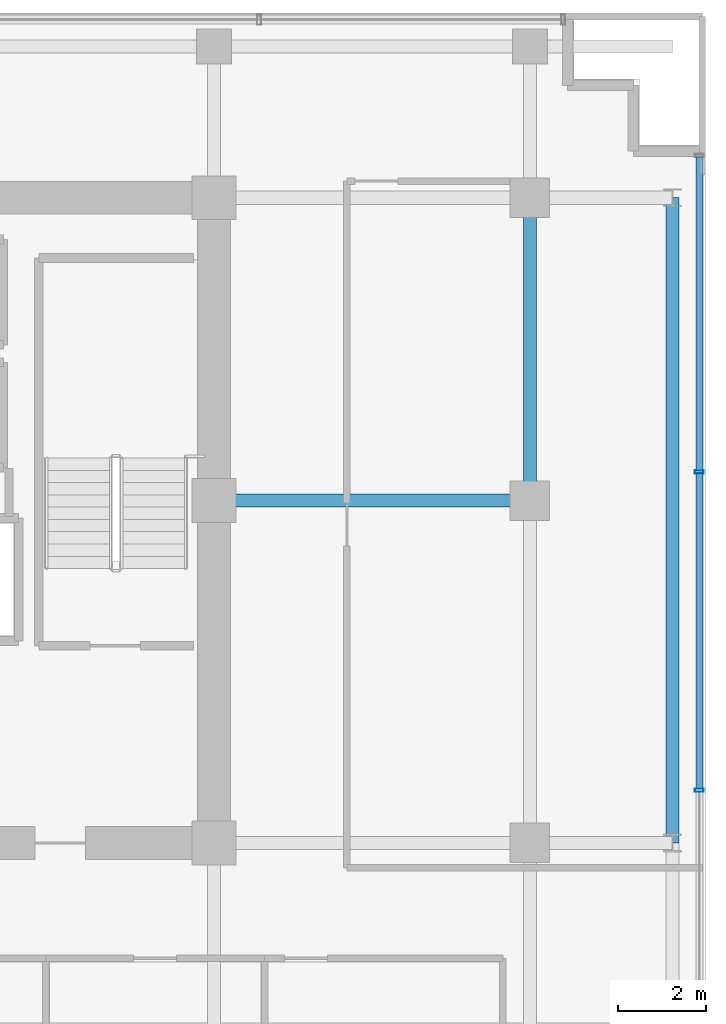
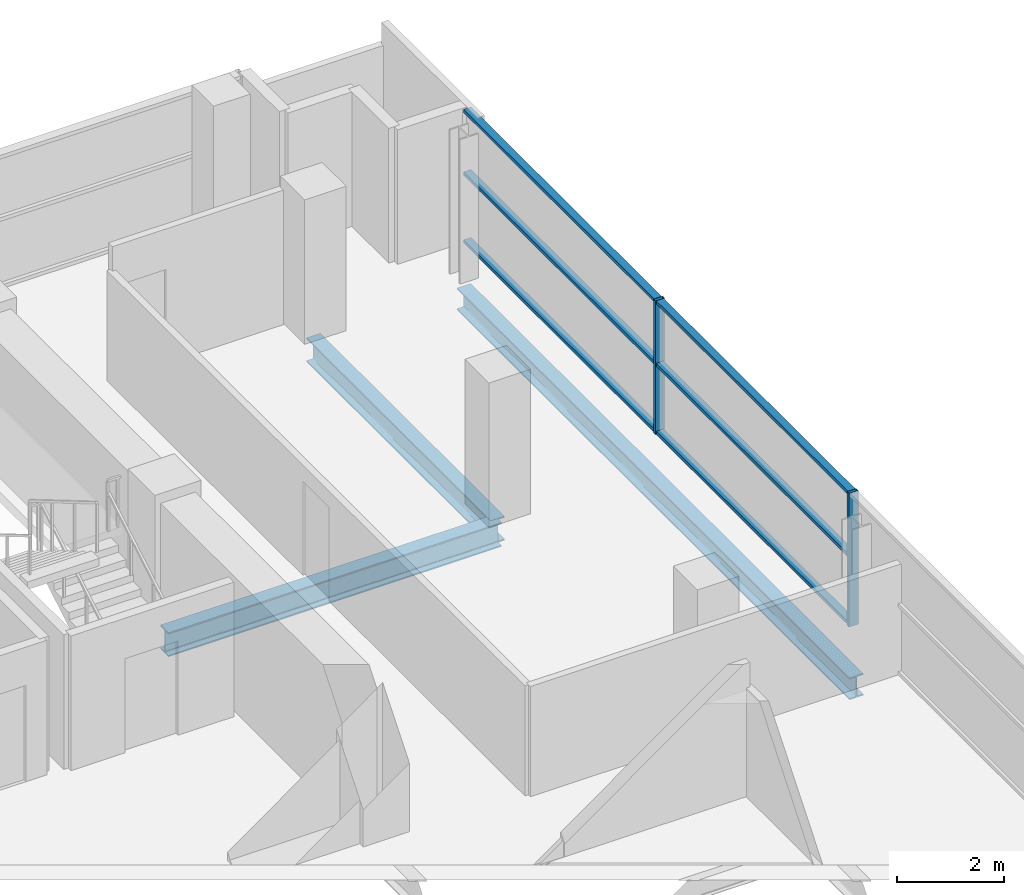
# One storey, part 14 of 28: 8 members, 3 beams, 1 element without a shape of its own.
"""IFC4 building model written with IfcOpenShell, lengths in metres."""

from ifc_helpers import new_model, si_unit, direction, frame, origin, origin_2d, place, context, subcontext, project, spatial, hollow_rectangle, i_section, extrude, source, transform, mapped, material, layer, layer_set, material_profile, profile_set, type_object, element, aggregate, save


model = new_model("IFC4")

# Units and contexts
model_context = context("Model", 3, precision=1e-05, world=origin(), true_north=direction((0.0, 1.0)))
body_context = subcontext(model_context, "Body", "Model", "MODEL_VIEW")
ifc_project = project(units=[si_unit("LENGTHUNIT", "METRE"), si_unit("AREAUNIT", "SQUARE_METRE"), si_unit("VOLUMEUNIT", "CUBIC_METRE"), si_unit("PLANEANGLEUNIT", "RADIAN"), si_unit("MASSUNIT", "GRAM", prefix="KILO")], contexts=[model_context])

# Site, building, storey
site_placement = place(None, origin())
site = spatial("IfcSite", under=ifc_project, at=site_placement, CompositionType="ELEMENT")
building_placement = place(site_placement, origin())
building = spatial("IfcBuilding", under=site, at=building_placement, Name="Zarnakvel Exchange Tower", CompositionType="ELEMENT")
storey_placement = place(building_placement, frame((0.0, 0.0, 109.89990234375)))
storey = spatial("IfcBuildingStorey", under=building, at=storey_placement, Name="L30", CompositionType="ELEMENT", Elevation=109.89990234375)

# Beams
ifc_material_1 = material(Name="Steel S355", Category="steel")
ifc_material_profile_1 = material_profile(ifc_material_1, i_section(OverallWidth=0.300048828125, OverallDepth=0.550048828125, WebThickness=0.014892578125, FlangeThickness=0.029052734375, FilletRadius=0.027099609375, at=origin_2d()))
ifc_profile_set_1 = profile_set([ifc_material_profile_1], Name="Steel S355")
beam_type_1 = type_object("IfcBeamType", Name="G-05", PredefinedType="BEAM", material=ifc_profile_set_1)
beam_1_placement = place(storey_placement, frame((14.39990234375, 6.60009765625, -0.5), z_axis=(1.0, 0.0, 0.0), x_axis=(0.0, 1.0, 0.0)))
element("IfcBeam", 1, at=beam_1_placement, inside=storey, type_object=beam_type_1, Name="L30 Tower E-W Frame Beam", PredefinedType="BEAM", context=body_context, shape_type="SweptSolid", body=[
    extrude(i_section(OverallWidth=0.300048828125, OverallDepth=0.550048828125, WebThickness=0.014892578125, FlangeThickness=0.029052734375, FilletRadius=0.027099609375, at=origin_2d()), origin(), (0.0, 0.0, 1.0), 7.2001953125),
])
beam_2_placement = place(storey_placement, frame((21.60009765625, 6.60009765625, -0.5), z_axis=(0.0, 1.0, 0.0), x_axis=(-1.0, 0.0, 0.0)))
element("IfcBeam", 2, at=beam_2_placement, inside=storey, type_object=beam_type_1, Name="L30 Tower N-S Frame Beam", PredefinedType="BEAM", context=body_context, shape_type="SweptSolid", body=[
    extrude(i_section(OverallWidth=0.300048828125, OverallDepth=0.550048828125, WebThickness=0.014892578125, FlangeThickness=0.029052734375, FilletRadius=0.027099609375, at=origin_2d()), origin(), (0.0, 0.0, 1.0), 6.89990234375),
])
ifc_material_profile_2 = material_profile(ifc_material_1, i_section(OverallWidth=0.300048828125, OverallDepth=0.5, WebThickness=0.014404296875, FlangeThickness=0.028076171875, FilletRadius=0.027099609375, at=origin_2d()))
ifc_profile_set_2 = profile_set([ifc_material_profile_2], Name="Steel S355")
beam_type_2 = type_object("IfcBeamType", Name="SP-02", PredefinedType="SPANDREL", material=ifc_profile_set_2)
beam_3_placement = place(storey_placement, frame((24.85009765625, -1.199951171875, -0.474853515625), z_axis=(0.0, 1.0, 0.0), x_axis=(-1.0, 0.0, 0.0)))
element("IfcBeam", 3, at=beam_3_placement, inside=storey, type_object=beam_type_2, Name="L30 Tower N-S Frame Beam", PredefinedType="SPANDREL", context=body_context, shape_type="SweptSolid", body=[
    extrude(i_section(OverallWidth=0.300048828125, OverallDepth=0.5, WebThickness=0.014404296875, FlangeThickness=0.028076171875, FilletRadius=0.027099609375, at=origin_2d()), origin(), (0.0, 0.0, 1.0), 14.699951171875),
])

# Curtain wall, members
ifc_material_2 = material(Name="Architectural Bronze Anodised Aluminium", Category="aluminium")
ifc_layer = layer(ifc_material_2, 0.199951171875)
ifc_layer_set = layer_set([ifc_layer], Name="Architectural Bronze Anodised Aluminium")
curtain_wall_type = type_object("IfcCurtainWallType", Name="CW-04", PredefinedType="NOTDEFINED", material=ifc_layer_set)
curtain_wall_placement = place(storey_placement, origin())
curtain_wall = element("IfcCurtainWall", 4, at=curtain_wall_placement, inside=storey, type_object=curtain_wall_type, Name="L30 Curtain Wall CW-L30-E1 (CW-04)", PredefinedType="NOTDEFINED")
ifc_material_profile_3 = material_profile(ifc_material_2, hollow_rectangle(XDim=0.199951171875, YDim=0.074951171875, WallThickness=0.0048828125, at=origin_2d()))
ifc_profile_set_3 = profile_set([ifc_material_profile_3], Name="Architectural Bronze Anodised Aluminium")
member_type_1 = type_object("IfcMemberType", Name="CWM-04", PredefinedType="MULLION", material=ifc_profile_set_3)
shared_shape_1 = source(origin(), body_context, "Body", "SweptSolid", [
    extrude(hollow_rectangle(XDim=0.199951171875, YDim=0.074951171875, WallThickness=0.0048828125, at=origin_2d()), origin(), (0.0, 0.0, 1.0), 3.05517578125),
])
member_1_placement = place(storey_placement, frame((25.4599609375, 0.0, 0.0), z_axis=(0.0, 0.0, 1.0), x_axis=(-1.0, 0.0, 0.0)))
member_1 = element("IfcMember", 5, at=member_1_placement, type_object=member_type_1, Name="CW-04 mullion 3", PredefinedType="MULLION", context=body_context, shape_type="MappedRepresentation", body=[
    mapped(shared_shape_1, transform((0.0, 0.0, 0.0), x_axis=(1.0, 0.0, 0.0), y_axis=(0.0, 1.0, 0.0), z_axis=(0.0, 0.0, 1.0), scale=1.0)),
])
member_2_placement = place(storey_placement, frame((25.4599609375, 7.25, 0.0), z_axis=(0.0, 0.0, 1.0), x_axis=(-1.0, 0.0, 0.0)))
member_2 = element("IfcMember", 6, at=member_2_placement, type_object=member_type_1, Name="CW-04 mullion 4", PredefinedType="MULLION", context=body_context, shape_type="MappedRepresentation", body=[
    mapped(shared_shape_1, transform((0.0, 0.0, 0.0), x_axis=(1.0, 0.0, 0.0), y_axis=(0.0, 1.0, 0.0), z_axis=(0.0, 0.0, 1.0), scale=1.0)),
])
ifc_material_profile_4 = material_profile(ifc_material_2, hollow_rectangle(XDim=0.159912109375, YDim=0.074951171875, WallThickness=0.00390625, at=origin_2d()))
ifc_profile_set_4 = profile_set([ifc_material_profile_4], Name="Architectural Bronze Anodised Aluminium")
member_type_2 = type_object("IfcMemberType", Name="CWT-04", PredefinedType="USERDEFINED", material=ifc_profile_set_4)
shared_shape_2 = source(origin(), body_context, "Body", "SweptSolid", [
    extrude(hollow_rectangle(XDim=0.159912109375, YDim=0.074951171875, WallThickness=0.00390625, at=origin_2d()), origin(), (0.0, 0.0, 1.0), 7.137451171875),
])
member_3_placement = place(storey_placement, frame((25.4599609375, 7.28759765625, 0.03759765625), z_axis=(0.0, 1.0, 0.0), x_axis=(-1.0, 0.0, 0.0)))
member_3 = element("IfcMember", 7, at=member_3_placement, type_object=member_type_2, Name="CW-04 transom 4.1", ObjectType="TRANSOM", PredefinedType="USERDEFINED", context=body_context, shape_type="MappedRepresentation", body=[
    mapped(shared_shape_2, transform((0.0, 0.0, 0.0), x_axis=(1.0, 0.0, 0.0), y_axis=(0.0, 1.0, 0.0), z_axis=(0.0, 0.0, 1.0), scale=1.0)),
])
member_4_placement = place(storey_placement, frame((25.4599609375, 7.28759765625, 1.588623046875), z_axis=(0.0, 1.0, 0.0), x_axis=(-1.0, 0.0, 0.0)))
member_4 = element("IfcMember", 8, at=member_4_placement, type_object=member_type_2, Name="CW-04 transom 4.2", ObjectType="TRANSOM", PredefinedType="USERDEFINED", context=body_context, shape_type="MappedRepresentation", body=[
    mapped(shared_shape_2, transform((0.0, 0.0, 0.0), x_axis=(1.0, 0.0, 0.0), y_axis=(0.0, 1.0, 0.0), z_axis=(0.0, 0.0, 1.0), scale=1.0)),
])
member_5_placement = place(storey_placement, frame((25.4599609375, 7.28759765625, 3.017578125), z_axis=(0.0, 1.0, 0.0), x_axis=(-1.0, 0.0, 0.0)))
member_5 = element("IfcMember", 9, at=member_5_placement, type_object=member_type_2, Name="CW-04 transom 4.3", ObjectType="TRANSOM", PredefinedType="USERDEFINED", context=body_context, shape_type="MappedRepresentation", body=[
    mapped(shared_shape_2, transform((0.0, 0.0, 0.0), x_axis=(1.0, 0.0, 0.0), y_axis=(0.0, 1.0, 0.0), z_axis=(0.0, 0.0, 1.0), scale=1.0)),
])
shared_shape_3 = source(origin(), body_context, "Body", "SweptSolid", [
    extrude(hollow_rectangle(XDim=0.159912109375, YDim=0.074951171875, WallThickness=0.00390625, at=origin_2d()), origin(), (0.0, 0.0, 1.0), 7.1748046875),
])
member_6_placement = place(storey_placement, frame((25.4599609375, 0.03759765625, 0.03759765625), z_axis=(0.0, 1.0, 0.0), x_axis=(-1.0, 0.0, 0.0)))
member_6 = element("IfcMember", 10, at=member_6_placement, type_object=member_type_2, Name="CW-04 transom 3.1", ObjectType="TRANSOM", PredefinedType="USERDEFINED", context=body_context, shape_type="MappedRepresentation", body=[
    mapped(shared_shape_3, transform((0.0, 0.0, 0.0), x_axis=(1.0, 0.0, 0.0), y_axis=(0.0, 1.0, 0.0), z_axis=(0.0, 0.0, 1.0), scale=1.0)),
])
member_7_placement = place(storey_placement, frame((25.4599609375, 0.03759765625, 1.588623046875), z_axis=(0.0, 1.0, 0.0), x_axis=(-1.0, 0.0, 0.0)))
member_7 = element("IfcMember", 11, at=member_7_placement, type_object=member_type_2, Name="CW-04 transom 3.2", ObjectType="TRANSOM", PredefinedType="USERDEFINED", context=body_context, shape_type="MappedRepresentation", body=[
    mapped(shared_shape_3, transform((0.0, 0.0, 0.0), x_axis=(1.0, 0.0, 0.0), y_axis=(0.0, 1.0, 0.0), z_axis=(0.0, 0.0, 1.0), scale=1.0)),
])
member_8_placement = place(storey_placement, frame((25.4599609375, 0.03759765625, 3.017578125), z_axis=(0.0, 1.0, 0.0), x_axis=(-1.0, 0.0, 0.0)))
member_8 = element("IfcMember", 12, at=member_8_placement, type_object=member_type_2, Name="CW-04 transom 3.3", ObjectType="TRANSOM", PredefinedType="USERDEFINED", context=body_context, shape_type="MappedRepresentation", body=[
    mapped(shared_shape_3, transform((0.0, 0.0, 0.0), x_axis=(1.0, 0.0, 0.0), y_axis=(0.0, 1.0, 0.0), z_axis=(0.0, 0.0, 1.0), scale=1.0)),
])
aggregate(curtain_wall, [member_1, member_2, member_6, member_7, member_8, member_3, member_4, member_5])

save(model, "model.ifc")
